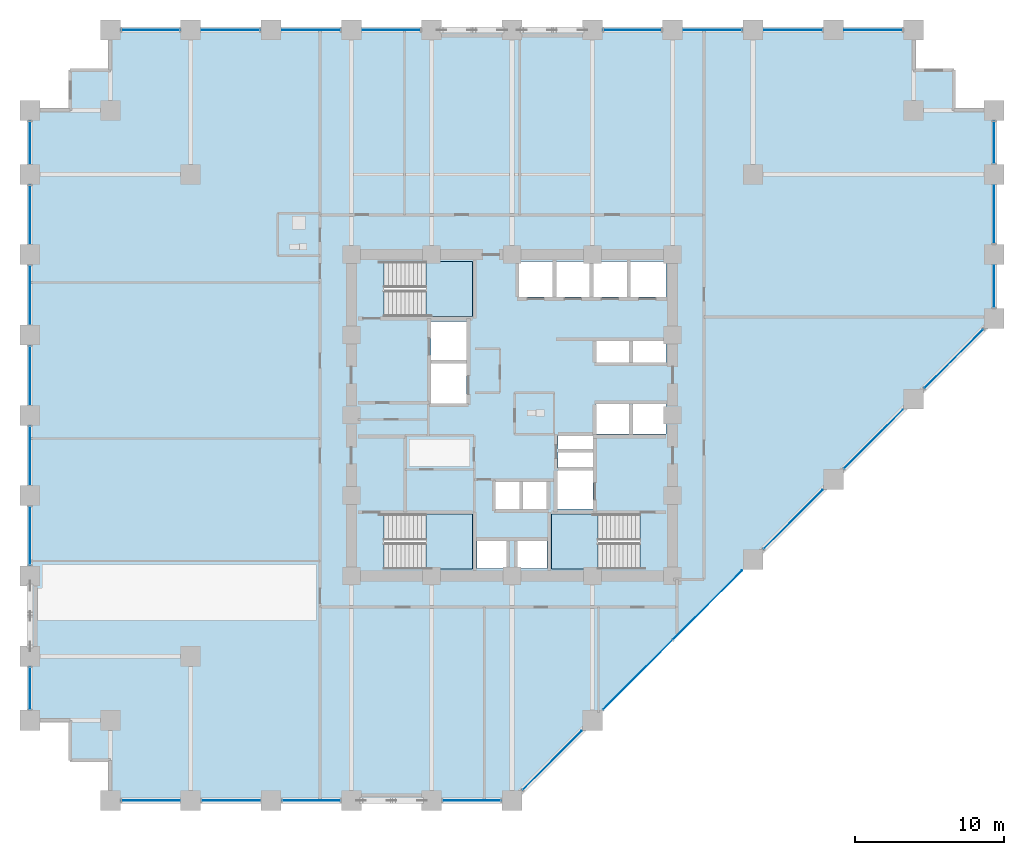
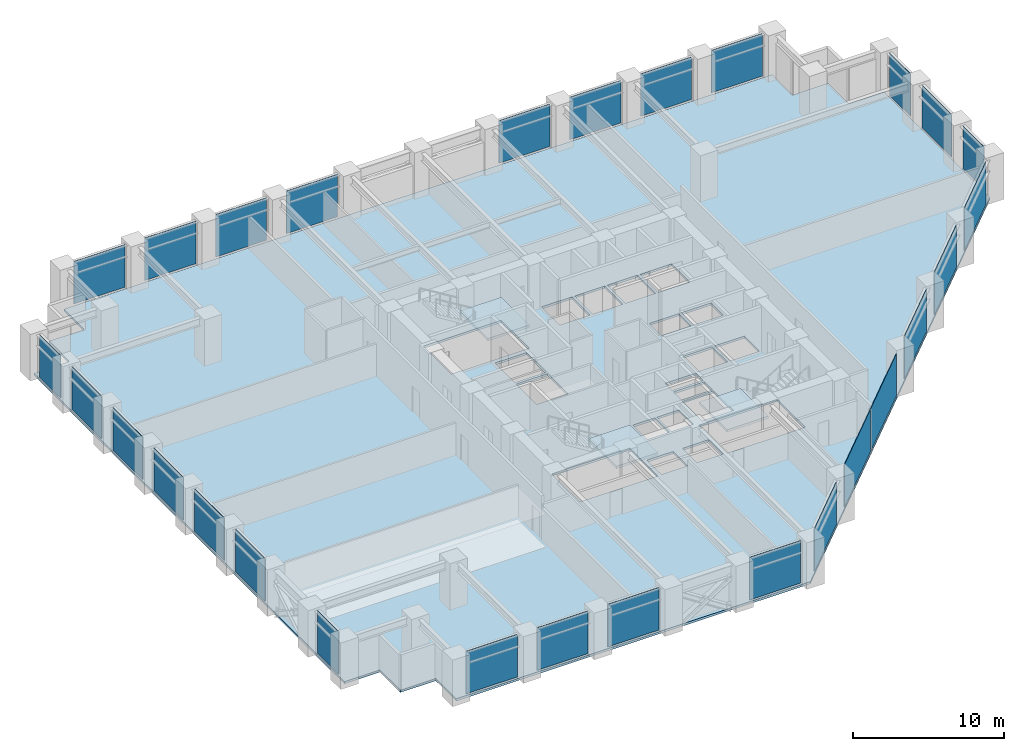
# One storey, part 18 of 25: 28 plates, 4 slabs, 11 elements without a shape of their own.
"""IFC4 building model written with IfcOpenShell, lengths in metres."""

from ifc_helpers import new_model, si_unit, direction, frame, frame_2d, origin, place, context, subcontext, project, spatial, polyline, rectangle, outline, extrude, material, layer, layer_set, type_object, element, aggregate, save


model = new_model("IFC4")

# Units and contexts
model_context = context("Model", 3, precision=1e-05, world=origin(), true_north=direction((0.0, 1.0)))
body_context = subcontext(model_context, "Body", "Model", "MODEL_VIEW")
ifc_project = project(units=[si_unit("LENGTHUNIT", "METRE"), si_unit("AREAUNIT", "SQUARE_METRE"), si_unit("VOLUMEUNIT", "CUBIC_METRE"), si_unit("PLANEANGLEUNIT", "RADIAN"), si_unit("MASSUNIT", "GRAM", prefix="KILO")], contexts=[model_context])

# Site, building, storey
site_placement = place(None, origin())
site = spatial("IfcSite", under=ifc_project, at=site_placement, CompositionType="ELEMENT")
building_placement = place(site_placement, origin())
building = spatial("IfcBuilding", under=site, at=building_placement, Name="Surkhivell Harbour Commons", CompositionType="ELEMENT")
storey_placement = place(building_placement, frame((0.0, 0.0, 52.5)))
storey = spatial("IfcBuildingStorey", under=building, at=storey_placement, Name="L13", CompositionType="ELEMENT", Elevation=52.5)

# Curtain wall, plates
ifc_material_1 = material(Name="Anodised pale-metal aluminium and insulated glazing", Category="aluminium")
ifc_layer_1 = layer(ifc_material_1, 0.219970703125)
ifc_layer_set_1 = layer_set([ifc_layer_1], Name="Anodised pale-metal aluminium and insulated glazing")
curtain_wall_type = type_object("IfcCurtainWallType", Name="CW-SYS-Z1", PredefinedType="NOTDEFINED", material=ifc_layer_set_1)
curtain_wall_1_placement = place(storey_placement, origin())
curtain_wall_1 = element("IfcCurtainWall", 1, at=curtain_wall_1_placement, inside=storey, type_object=curtain_wall_type, Name="L13 Curtain Wall CW-L13-E00S1", PredefinedType="NOTDEFINED")
ifc_material_2 = material(Name="Double-silver low-E laminated vision glass", Category="glass")
ifc_layer_2 = layer(ifc_material_2, 0.031982421875)
ifc_layer_set_2 = layer_set([ifc_layer_2], Name="Double-silver low-E laminated vision glass")
plate_type = type_object("IfcPlateType", Name="CWP-GLZ-32", PredefinedType="CURTAIN_PANEL", material=ifc_layer_set_2)
plate_1_placement = place(storey_placement, frame((-26.248046875, -25.89990234375, 0.14990234375), z_axis=(0.0, 0.0, 1.0), x_axis=(1.0, 0.0, 0.0)))
plate_1 = element("IfcPlate", 2, at=plate_1_placement, type_object=plate_type, Name="CW-Z1 panel 1.1", PredefinedType="CURTAIN_PANEL", context=body_context, shape_type="SweptSolid", body=[
    extrude(rectangle(XDim=3.89599609375, YDim=0.031982421875, at=frame_2d((1.947998046875, 0.0))), origin(), (0.0, 0.0, 1.0), 3.420166015625),
])
plate_2_placement = place(storey_placement, frame((-20.847900390625, -25.89990234375, 0.14990234375), z_axis=(0.0, 0.0, 1.0), x_axis=(1.0, 0.0, 0.0)))
plate_2 = element("IfcPlate", 3, at=plate_2_placement, type_object=plate_type, Name="CW-Z1 panel 2.1", PredefinedType="CURTAIN_PANEL", context=body_context, shape_type="SweptSolid", body=[
    extrude(rectangle(XDim=3.89599609375, YDim=0.031982421875, at=frame_2d((1.947998046875, 0.0))), origin(), (0.0, 0.0, 1.0), 3.420166015625),
])
plate_3_placement = place(storey_placement, frame((-15.447998046875, -25.89990234375, 0.14990234375), z_axis=(0.0, 0.0, 1.0), x_axis=(1.0, 0.0, 0.0)))
plate_3 = element("IfcPlate", 4, at=plate_3_placement, type_object=plate_type, Name="CW-Z1 panel 3.1", PredefinedType="CURTAIN_PANEL", context=body_context, shape_type="SweptSolid", body=[
    extrude(rectangle(XDim=3.89599609375, YDim=0.031982421875, at=frame_2d((1.947998046875, 0.0))), origin(), (0.0, 0.0, 1.0), 3.420166015625),
])
aggregate(curtain_wall_1, [plate_1, plate_2, plate_3])

# Curtain wall, plate
curtain_wall_2_placement = place(storey_placement, origin())
curtain_wall_2 = element("IfcCurtainWall", 5, at=curtain_wall_2_placement, inside=storey, type_object=curtain_wall_type, Name="L13 Curtain Wall CW-L13-E00S2", PredefinedType="NOTDEFINED")
plate_4_placement = place(storey_placement, frame((-4.64794921875, -25.89990234375, 0.14990234375), z_axis=(0.0, 0.0, 1.0), x_axis=(1.0, 0.0, 0.0)))
plate_4 = element("IfcPlate", 6, at=plate_4_placement, type_object=plate_type, Name="CW-Z1 panel 1.1", PredefinedType="CURTAIN_PANEL", context=body_context, shape_type="SweptSolid", body=[
    extrude(rectangle(XDim=3.89599609375, YDim=0.031982421875, at=frame_2d((1.947998046875, 0.0))), origin(), (0.0, 0.0, 1.0), 3.420166015625),
])
aggregate(curtain_wall_2, [plate_4])

# Curtain wall, plates
curtain_wall_3_placement = place(storey_placement, origin())
curtain_wall_3 = element("IfcCurtainWall", 7, at=curtain_wall_3_placement, inside=storey, type_object=curtain_wall_type, Name="L13 Curtain Wall CW-L13-E01", PredefinedType="NOTDEFINED")
plate_5_placement = place(storey_placement, frame((0.729736328125, -25.170166015625, 0.14990234375), z_axis=(0.0, 0.0, 1.0), x_axis=(0.707106781187, 0.707106781187, 0.0)))
plate_5 = element("IfcPlate", 8, at=plate_5_placement, type_object=plate_type, Name="CW-Z1 panel 1.1", PredefinedType="CURTAIN_PANEL", context=body_context, shape_type="SweptSolid", body=[
    extrude(rectangle(XDim=5.572509765625, YDim=0.031982421875, at=frame_2d((2.7861328125, 0.0))), origin(), (0.0, 0.0, 1.0), 3.420166015625),
])
plate_6_placement = place(storey_placement, frame((6.1298828125, -19.770263671875, 0.14990234375), z_axis=(0.0, 0.0, 1.0), x_axis=(0.707088192925, 0.70712536896, 0.0)))
plate_6 = element("IfcPlate", 9, at=plate_6_placement, type_object=plate_type, Name="CW-Z1 panel 2.1", PredefinedType="CURTAIN_PANEL", context=body_context, shape_type="SweptSolid", body=[
    extrude(rectangle(XDim=6.567138671875, YDim=0.031982421875, at=frame_2d((3.28369140625, 0.0))), origin(), (0.0, 0.0, 1.0), 3.420166015625),
])
plate_7_placement = place(storey_placement, frame((10.826416015625, -15.073486328125, 0.14990234375), z_axis=(0.0, 0.0, 1.0), x_axis=(0.70712536896, 0.707088192925, 0.0)))
plate_7 = element("IfcPlate", 10, at=plate_7_placement, type_object=plate_type, Name="CW-Z1 panel 3.1", PredefinedType="CURTAIN_PANEL", context=body_context, shape_type="SweptSolid", body=[
    extrude(rectangle(XDim=6.567138671875, YDim=0.031982421875, at=frame_2d((3.28369140625, 0.0))), origin(), (0.0, 0.0, 1.0), 3.420166015625),
])
plate_8_placement = place(storey_placement, frame((16.929931640625, -8.97021484375, 0.14990234375), z_axis=(0.0, 0.0, 1.0), x_axis=(0.707084874754, 0.70712868694, 0.0)))
plate_8 = element("IfcPlate", 11, at=plate_8_placement, type_object=plate_type, Name="CW-Z1 panel 4.1", PredefinedType="CURTAIN_PANEL", context=body_context, shape_type="SweptSolid", body=[
    extrude(rectangle(XDim=5.572509765625, YDim=0.031982421875, at=frame_2d((2.7861328125, 0.0))), origin(), (0.0, 0.0, 1.0), 3.420166015625),
])
plate_9_placement = place(storey_placement, frame((22.329833984375, -3.570068359375, 0.14990234375), z_axis=(0.0, 0.0, 1.0), x_axis=(0.70712868694, 0.707084874754, 0.0)))
plate_9 = element("IfcPlate", 12, at=plate_9_placement, type_object=plate_type, Name="CW-Z1 panel 5.1", PredefinedType="CURTAIN_PANEL", context=body_context, shape_type="SweptSolid", body=[
    extrude(rectangle(XDim=5.572509765625, YDim=0.031982421875, at=frame_2d((2.7861328125, 0.0))), origin(), (0.0, 0.0, 1.0), 3.420166015625),
])
plate_10_placement = place(storey_placement, frame((27.729736328125, 1.829833984375, 0.14990234375), z_axis=(0.0, 0.0, 1.0), x_axis=(0.707106781187, 0.707106781187, 0.0)))
plate_10 = element("IfcPlate", 13, at=plate_10_placement, type_object=plate_type, Name="CW-Z1 panel 6.1", PredefinedType="CURTAIN_PANEL", context=body_context, shape_type="SweptSolid", body=[
    extrude(rectangle(XDim=5.572509765625, YDim=0.031982421875, at=frame_2d((2.7861328125, 0.0))), origin(), (0.0, 0.0, 1.0), 3.420166015625),
])
aggregate(curtain_wall_3, [plate_5, plate_6, plate_7, plate_8, plate_9, plate_10])

curtain_wall_4_placement = place(storey_placement, origin())
curtain_wall_4 = element("IfcCurtainWall", 14, at=curtain_wall_4_placement, inside=storey, type_object=curtain_wall_type, Name="L13 Curtain Wall CW-L13-E02", PredefinedType="NOTDEFINED")
plate_11_placement = place(storey_placement, frame((32.39990234375, 7.251953125, 0.14990234375), z_axis=(0.0, 0.0, 1.0), x_axis=(0.0, 1.0, 0.0)))
plate_11 = element("IfcPlate", 15, at=plate_11_placement, type_object=plate_type, Name="CW-Z1 panel 1.1", PredefinedType="CURTAIN_PANEL", context=body_context, shape_type="SweptSolid", body=[
    extrude(rectangle(XDim=2.796142578125, YDim=0.031982421875, at=frame_2d((1.39794921875, 0.0))), origin(), (0.0, 0.0, 1.0), 3.420166015625),
])
plate_12_placement = place(storey_placement, frame((32.39990234375, 11.552001953125, 0.14990234375), z_axis=(0.0, 0.0, 1.0), x_axis=(0.0, 1.0, 0.0)))
plate_12 = element("IfcPlate", 16, at=plate_12_placement, type_object=plate_type, Name="CW-Z1 panel 2.1", PredefinedType="CURTAIN_PANEL", context=body_context, shape_type="SweptSolid", body=[
    extrude(rectangle(XDim=3.89599609375, YDim=0.031982421875, at=frame_2d((1.947998046875, 0.0))), origin(), (0.0, 0.0, 1.0), 3.420166015625),
])
plate_13_placement = place(storey_placement, frame((32.39990234375, 16.951904296875, 0.14990234375), z_axis=(0.0, 0.0, 1.0), x_axis=(0.0, 1.0, 0.0)))
plate_13 = element("IfcPlate", 17, at=plate_13_placement, type_object=plate_type, Name="CW-Z1 panel 3.1", PredefinedType="CURTAIN_PANEL", context=body_context, shape_type="SweptSolid", body=[
    extrude(rectangle(XDim=2.796142578125, YDim=0.031982421875, at=frame_2d((1.39794921875, 0.0))), origin(), (0.0, 0.0, 1.0), 3.420166015625),
])
aggregate(curtain_wall_4, [plate_11, plate_12, plate_13])

curtain_wall_5_placement = place(storey_placement, origin())
curtain_wall_5 = element("IfcCurtainWall", 18, at=curtain_wall_5_placement, inside=storey, type_object=curtain_wall_type, Name="L13 Curtain Wall CW-L13-E07S1", PredefinedType="NOTDEFINED")
plate_14_placement = place(storey_placement, frame((26.248046875, 25.89990234375, 0.14990234375), z_axis=(0.0, 0.0, 1.0), x_axis=(-1.0, 0.0, 0.0)))
plate_14 = element("IfcPlate", 19, at=plate_14_placement, type_object=plate_type, Name="CW-Z1 panel 1.1", PredefinedType="CURTAIN_PANEL", context=body_context, shape_type="SweptSolid", body=[
    extrude(rectangle(XDim=3.89599609375, YDim=0.031982421875, at=frame_2d((1.947998046875, 0.0))), origin(), (0.0, 0.0, 1.0), 3.420166015625),
])
plate_15_placement = place(storey_placement, frame((20.847900390625, 25.89990234375, 0.14990234375), z_axis=(0.0, 0.0, 1.0), x_axis=(-1.0, 0.0, 0.0)))
plate_15 = element("IfcPlate", 20, at=plate_15_placement, type_object=plate_type, Name="CW-Z1 panel 2.1", PredefinedType="CURTAIN_PANEL", context=body_context, shape_type="SweptSolid", body=[
    extrude(rectangle(XDim=3.89599609375, YDim=0.031982421875, at=frame_2d((1.947998046875, 0.0))), origin(), (0.0, 0.0, 1.0), 3.420166015625),
])
plate_16_placement = place(storey_placement, frame((15.447998046875, 25.89990234375, 0.14990234375), z_axis=(0.0, 0.0, 1.0), x_axis=(-1.0, 0.0, 0.0)))
plate_16 = element("IfcPlate", 21, at=plate_16_placement, type_object=plate_type, Name="CW-Z1 panel 3.1", PredefinedType="CURTAIN_PANEL", context=body_context, shape_type="SweptSolid", body=[
    extrude(rectangle(XDim=3.89599609375, YDim=0.031982421875, at=frame_2d((1.947998046875, 0.0))), origin(), (0.0, 0.0, 1.0), 3.420166015625),
])
plate_17_placement = place(storey_placement, frame((10.048095703125, 25.89990234375, 0.14990234375), z_axis=(0.0, 0.0, 1.0), x_axis=(-1.0, 0.0, 0.0)))
plate_17 = element("IfcPlate", 22, at=plate_17_placement, type_object=plate_type, Name="CW-Z1 panel 4.1", PredefinedType="CURTAIN_PANEL", context=body_context, shape_type="SweptSolid", body=[
    extrude(rectangle(XDim=3.89599609375, YDim=0.031982421875, at=frame_2d((1.947998046875, 0.0))), origin(), (0.0, 0.0, 1.0), 3.420166015625),
])
aggregate(curtain_wall_5, [plate_14, plate_15, plate_16, plate_17])

curtain_wall_6_placement = place(storey_placement, origin())
curtain_wall_6 = element("IfcCurtainWall", 23, at=curtain_wall_6_placement, inside=storey, type_object=curtain_wall_type, Name="L13 Curtain Wall CW-L13-E07S2", PredefinedType="NOTDEFINED")
plate_18_placement = place(storey_placement, frame((-6.152099609375, 25.89990234375, 0.14990234375), z_axis=(0.0, 0.0, 1.0), x_axis=(-1.0, 0.0, 0.0)))
plate_18 = element("IfcPlate", 24, at=plate_18_placement, type_object=plate_type, Name="CW-Z1 panel 1.1", PredefinedType="CURTAIN_PANEL", context=body_context, shape_type="SweptSolid", body=[
    extrude(rectangle(XDim=3.89599609375, YDim=0.031982421875, at=frame_2d((1.947998046875, 0.0))), origin(), (0.0, 0.0, 1.0), 3.420166015625),
])
plate_19_placement = place(storey_placement, frame((-11.552001953125, 25.89990234375, 0.14990234375), z_axis=(0.0, 0.0, 1.0), x_axis=(-1.0, 0.0, 0.0)))
plate_19 = element("IfcPlate", 25, at=plate_19_placement, type_object=plate_type, Name="CW-Z1 panel 2.1", PredefinedType="CURTAIN_PANEL", context=body_context, shape_type="SweptSolid", body=[
    extrude(rectangle(XDim=3.89599609375, YDim=0.031982421875, at=frame_2d((1.947998046875, 0.0))), origin(), (0.0, 0.0, 1.0), 3.420166015625),
])
plate_20_placement = place(storey_placement, frame((-16.951904296875, 25.89990234375, 0.14990234375), z_axis=(0.0, 0.0, 1.0), x_axis=(-1.0, 0.0, 0.0)))
plate_20 = element("IfcPlate", 26, at=plate_20_placement, type_object=plate_type, Name="CW-Z1 panel 3.1", PredefinedType="CURTAIN_PANEL", context=body_context, shape_type="SweptSolid", body=[
    extrude(rectangle(XDim=3.89599609375, YDim=0.031982421875, at=frame_2d((1.947998046875, 0.0))), origin(), (0.0, 0.0, 1.0), 3.420166015625),
])
plate_21_placement = place(storey_placement, frame((-22.35205078125, 25.89990234375, 0.14990234375), z_axis=(0.0, 0.0, 1.0), x_axis=(-1.0, 0.0, 0.0)))
plate_21 = element("IfcPlate", 27, at=plate_21_placement, type_object=plate_type, Name="CW-Z1 panel 4.1", PredefinedType="CURTAIN_PANEL", context=body_context, shape_type="SweptSolid", body=[
    extrude(rectangle(XDim=3.89599609375, YDim=0.031982421875, at=frame_2d((1.947998046875, 0.0))), origin(), (0.0, 0.0, 1.0), 3.420166015625),
])
aggregate(curtain_wall_6, [plate_18, plate_19, plate_20, plate_21])

curtain_wall_7_placement = place(storey_placement, origin())
curtain_wall_7 = element("IfcCurtainWall", 28, at=curtain_wall_7_placement, inside=storey, type_object=curtain_wall_type, Name="L13 Curtain Wall CW-L13-E12S1", PredefinedType="NOTDEFINED")
plate_22_placement = place(storey_placement, frame((-32.39990234375, 19.748046875, 0.14990234375), z_axis=(0.0, 0.0, 1.0), x_axis=(0.0, -1.0, 0.0)))
plate_22 = element("IfcPlate", 29, at=plate_22_placement, type_object=plate_type, Name="CW-Z1 panel 1.1", PredefinedType="CURTAIN_PANEL", context=body_context, shape_type="SweptSolid", body=[
    extrude(rectangle(XDim=2.796142578125, YDim=0.031982421875, at=frame_2d((1.39794921875, 0.0))), origin(), (0.0, 0.0, 1.0), 3.420166015625),
])
plate_23_placement = place(storey_placement, frame((-32.39990234375, 15.447998046875, 0.14990234375), z_axis=(0.0, 0.0, 1.0), x_axis=(0.0, -1.0, 0.0)))
plate_23 = element("IfcPlate", 30, at=plate_23_placement, type_object=plate_type, Name="CW-Z1 panel 2.1", PredefinedType="CURTAIN_PANEL", context=body_context, shape_type="SweptSolid", body=[
    extrude(rectangle(XDim=3.89599609375, YDim=0.031982421875, at=frame_2d((1.947998046875, 0.0))), origin(), (0.0, 0.0, 1.0), 3.420166015625),
])
plate_24_placement = place(storey_placement, frame((-32.39990234375, 10.048095703125, 0.14990234375), z_axis=(0.0, 0.0, 1.0), x_axis=(0.0, -1.0, 0.0)))
plate_24 = element("IfcPlate", 31, at=plate_24_placement, type_object=plate_type, Name="CW-Z1 panel 3.1", PredefinedType="CURTAIN_PANEL", context=body_context, shape_type="SweptSolid", body=[
    extrude(rectangle(XDim=3.89599609375, YDim=0.031982421875, at=frame_2d((1.947998046875, 0.0))), origin(), (0.0, 0.0, 1.0), 3.420166015625),
])
plate_25_placement = place(storey_placement, frame((-32.39990234375, 4.64794921875, 0.14990234375), z_axis=(0.0, 0.0, 1.0), x_axis=(0.0, -1.0, 0.0)))
plate_25 = element("IfcPlate", 32, at=plate_25_placement, type_object=plate_type, Name="CW-Z1 panel 4.1", PredefinedType="CURTAIN_PANEL", context=body_context, shape_type="SweptSolid", body=[
    extrude(rectangle(XDim=3.89599609375, YDim=0.031982421875, at=frame_2d((1.947998046875, 0.0))), origin(), (0.0, 0.0, 1.0), 3.420166015625),
])
plate_26_placement = place(storey_placement, frame((-32.39990234375, -0.751953125, 0.14990234375), z_axis=(0.0, 0.0, 1.0), x_axis=(0.0, -1.0, 0.0)))
plate_26 = element("IfcPlate", 33, at=plate_26_placement, type_object=plate_type, Name="CW-Z1 panel 5.1", PredefinedType="CURTAIN_PANEL", context=body_context, shape_type="SweptSolid", body=[
    extrude(rectangle(XDim=3.89599609375, YDim=0.031982421875, at=frame_2d((1.947998046875, 0.0))), origin(), (0.0, 0.0, 1.0), 3.420166015625),
])
plate_27_placement = place(storey_placement, frame((-32.39990234375, -6.152099609375, 0.14990234375), z_axis=(0.0, 0.0, 1.0), x_axis=(0.0, -1.0, 0.0)))
plate_27 = element("IfcPlate", 34, at=plate_27_placement, type_object=plate_type, Name="CW-Z1 panel 6.1", PredefinedType="CURTAIN_PANEL", context=body_context, shape_type="SweptSolid", body=[
    extrude(rectangle(XDim=3.89599609375, YDim=0.031982421875, at=frame_2d((1.947998046875, 0.0))), origin(), (0.0, 0.0, 1.0), 3.420166015625),
])
aggregate(curtain_wall_7, [plate_22, plate_23, plate_24, plate_25, plate_26, plate_27])

# Curtain wall, plate
curtain_wall_8_placement = place(storey_placement, origin())
curtain_wall_8 = element("IfcCurtainWall", 35, at=curtain_wall_8_placement, inside=storey, type_object=curtain_wall_type, Name="L13 Curtain Wall CW-L13-E12S2", PredefinedType="NOTDEFINED")
plate_28_placement = place(storey_placement, frame((-32.39990234375, -16.951904296875, 0.14990234375), z_axis=(0.0, 0.0, 1.0), x_axis=(0.0, -1.0, 0.0)))
plate_28 = element("IfcPlate", 36, at=plate_28_placement, type_object=plate_type, Name="CW-Z1 panel 1.1", PredefinedType="CURTAIN_PANEL", context=body_context, shape_type="SweptSolid", body=[
    extrude(rectangle(XDim=2.796142578125, YDim=0.031982421875, at=frame_2d((1.39794921875, 0.0))), origin(), (0.0, 0.0, 1.0), 3.420166015625),
])
aggregate(curtain_wall_8, [plate_28])

# Stair, slab
ifc_material_3 = material(Name="Precast concrete C45/55", Category="concrete")
stair_type = type_object("IfcStairType", Name="STR-DL-375", PredefinedType="HALF_TURN_STAIR", material=ifc_material_3)
stair_1_placement = place(storey_placement, origin())
stair_1 = element("IfcStair", 37, at=stair_1_placement, inside=storey, type_object=stair_type, Name="L13 Core Exit Stair ST1", PredefinedType="HALF_TURN_STAIR")
ifc_material_4 = material(Name="Reinforced concrete C45/55", Category="concrete")
ifc_layer_3 = layer(ifc_material_4, 0.199951171875)
ifc_layer_set_3 = layer_set([ifc_layer_3], Name="Reinforced concrete C45/55")
slab_type_1 = type_object("IfcSlabType", Name="SLB-ST-LND200", PredefinedType="LANDING", material=ifc_layer_set_3)
slab_1_placement = place(storey_placement, frame((0.0, 0.0, 1.675048828125)))
slab_1 = element("IfcSlab", 38, at=slab_1_placement, type_object=slab_type_1, Name="ST1 landing 1", PredefinedType="LANDING", context=body_context, shape_type="SweptSolid", body=[
    extrude(outline(polyline([(-5.7900390625, 6.639892578125), (-2.639892578125, 6.639892578125), (-2.639892578125, 10.340087890625), (-5.7900390625, 10.340087890625), (-5.7900390625, 6.639892578125)])), origin(), (0.0, 0.0, 1.0), 0.199951171875),
])
aggregate(stair_1, [slab_1])

stair_2_placement = place(storey_placement, origin())
stair_2 = element("IfcStair", 39, at=stair_2_placement, inside=storey, type_object=stair_type, Name="L13 Core Exit Stair ST2", PredefinedType="HALF_TURN_STAIR")
slab_2_placement = place(storey_placement, frame((0.0, 0.0, 1.675048828125)))
slab_2 = element("IfcSlab", 40, at=slab_2_placement, type_object=slab_type_1, Name="ST2 landing 1", PredefinedType="LANDING", context=body_context, shape_type="SweptSolid", body=[
    extrude(outline(polyline([(5.7900390625, -6.639892578125), (2.639892578125, -6.639892578125), (2.639892578125, -10.340087890625), (5.7900390625, -10.340087890625), (5.7900390625, -6.639892578125)])), origin(), (0.0, 0.0, 1.0), 0.199951171875),
])
aggregate(stair_2, [slab_2])

stair_3_placement = place(storey_placement, origin())
stair_3 = element("IfcStair", 41, at=stair_3_placement, inside=storey, type_object=stair_type, Name="L13 Core Exit Stair ST3", PredefinedType="HALF_TURN_STAIR")
slab_3_placement = place(storey_placement, frame((0.0, 0.0, 1.675048828125)))
slab_3 = element("IfcSlab", 42, at=slab_3_placement, type_object=slab_type_1, Name="ST3 landing 1", PredefinedType="LANDING", context=body_context, shape_type="SweptSolid", body=[
    extrude(outline(polyline([(-5.7900390625, -10.340087890625), (-2.639892578125, -10.340087890625), (-2.639892578125, -6.639892578125), (-5.7900390625, -6.639892578125), (-5.7900390625, -10.340087890625)])), origin(), (0.0, 0.0, 1.0), 0.199951171875),
])
aggregate(stair_3, [slab_3])

# Slab
ifc_material_5 = material(Name="Concrete C45/55", Category="concrete")
ifc_layer_4 = layer(ifc_material_5, 0.179931640625)
ifc_layer_set_4 = layer_set([ifc_layer_4], Name="Concrete C45/55")
slab_type_2 = type_object("IfcSlabType", Name="SLB-TYP-180", PredefinedType="FLOOR", material=ifc_layer_set_4)
slab_4_placement = place(storey_placement, frame((0.0, 0.0, -0.179931640625)))
element("IfcSlab", 43, at=slab_4_placement, inside=storey, type_object=slab_type_2, Name="L13 Structural Floor Slab", PredefinedType="FLOOR", context=body_context, shape_type="SweptSolid", body=[
    extrude(outline(polyline([(-27.0, -25.89990234375), (0.0, -25.89990234375), (32.39990234375, 6.5), (32.39990234375, 20.5), (29.699951171875, 20.5), (29.699951171875, 23.199951171875), (27.0, 23.199951171875), (27.0, 25.89990234375), (-27.0, 25.89990234375), (-27.0, 23.199951171875), (-29.699951171875, 23.199951171875), (-29.699951171875, 20.5), (-32.39990234375, 20.5), (-32.39990234375, -20.5), (-29.699951171875, -20.5), (-29.699951171875, -23.199951171875), (-27.0, -23.199951171875), (-27.0, -25.89990234375)]), holes=[polyline([(-8.590087890625, 6.639892578125), (-2.639892578125, 6.639892578125), (-2.639892578125, 10.340087890625), (-8.590087890625, 10.340087890625), (-8.590087890625, 6.639892578125)]), polyline([(8.590087890625, -6.639892578125), (2.639892578125, -6.639892578125), (2.639892578125, -10.340087890625), (8.590087890625, -10.340087890625), (8.590087890625, -6.639892578125)]), polyline([(-8.590087890625, -10.340087890625), (-2.639892578125, -10.340087890625), (-2.639892578125, -6.639892578125), (-8.590087890625, -6.639892578125), (-8.590087890625, -10.340087890625)]), polyline([(0.449951171875, 7.949951171875), (2.75, 7.949951171875), (2.75, 10.35009765625), (0.449951171875, 10.35009765625), (0.449951171875, 7.949951171875)]), polyline([(2.949951171875, 7.949951171875), (5.25, 7.949951171875), (5.25, 10.35009765625), (2.949951171875, 10.35009765625), (2.949951171875, 7.949951171875)]), polyline([(5.449951171875, 7.949951171875), (7.75, 7.949951171875), (7.75, 10.35009765625), (5.449951171875, 10.35009765625), (5.449951171875, 7.949951171875)]), polyline([(7.949951171875, 7.949951171875), (10.35009765625, 7.949951171875), (10.35009765625, 10.35009765625), (7.949951171875, 10.35009765625), (7.949951171875, 7.949951171875)]), polyline([(5.64990234375, 3.550048828125), (7.89990234375, 3.550048828125), (7.89990234375, 5.14990234375), (5.64990234375, 5.14990234375), (5.64990234375, 3.550048828125)]), polyline([(8.10009765625, 3.550048828125), (10.35009765625, 3.550048828125), (10.35009765625, 5.14990234375), (8.10009765625, 5.14990234375), (8.10009765625, 3.550048828125)]), polyline([(5.64990234375, -1.25), (7.89990234375, -1.25), (7.89990234375, 0.75), (5.64990234375, 0.75), (5.64990234375, -1.25)]), polyline([(8.10009765625, -1.25), (10.35009765625, -1.25), (10.35009765625, 0.75), (8.10009765625, 0.75), (8.10009765625, -1.25)]), polyline([(-1.14990234375, -6.35009765625), (0.550048828125, -6.35009765625), (0.550048828125, -4.449951171875), (-1.14990234375, -4.449951171875), (-1.14990234375, -6.35009765625)]), polyline([(0.679931640625, -6.35009765625), (2.3798828125, -6.35009765625), (2.3798828125, -4.449951171875), (0.679931640625, -4.449951171875), (0.679931640625, -6.35009765625)]), polyline([(-2.35009765625, -10.300048828125), (-0.35009765625, -10.300048828125), (-0.35009765625, -8.39990234375), (-2.35009765625, -8.39990234375), (-2.35009765625, -10.300048828125)]), polyline([(0.35009765625, -10.300048828125), (2.35009765625, -10.300048828125), (2.35009765625, -8.39990234375), (0.35009765625, -8.39990234375), (0.35009765625, -10.300048828125)]), polyline([(-5.449951171875, 3.699951171875), (-3.050048828125, 3.699951171875), (-3.050048828125, 6.300048828125), (-5.449951171875, 6.300048828125), (-5.449951171875, 3.699951171875)]), polyline([(3.050048828125, -6.300048828125), (5.449951171875, -6.300048828125), (5.449951171875, -3.699951171875), (3.050048828125, -3.699951171875), (3.050048828125, -6.300048828125)]), polyline([(-5.449951171875, 0.800048828125), (-3.050048828125, 0.800048828125), (-3.050048828125, 3.5), (-5.449951171875, 3.5), (-5.449951171875, 0.800048828125)]), polyline([(3.10009765625, -3.550048828125), (5.449951171875, -3.550048828125), (5.449951171875, -2.47998046875), (3.10009765625, -2.47998046875), (3.10009765625, -3.550048828125)]), polyline([(3.10009765625, -2.280029296875), (5.449951171875, -2.280029296875), (5.449951171875, -1.35009765625), (3.10009765625, -1.35009765625), (3.10009765625, -2.280029296875)])]), origin(), (0.0, 0.0, 1.0), 0.179931640625),
])

save(model, "model.ifc")
